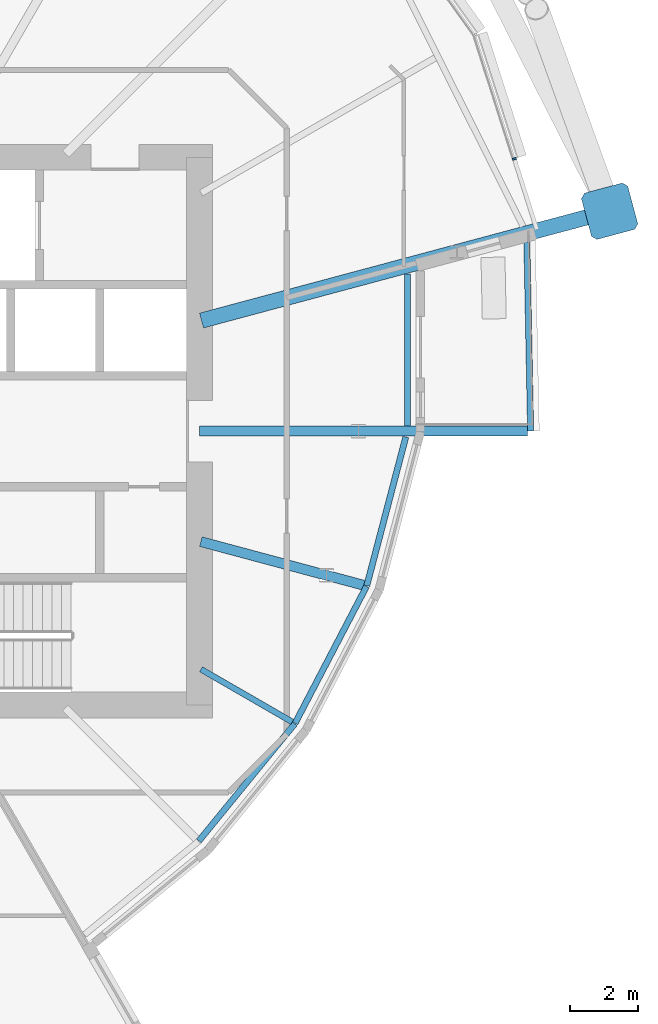
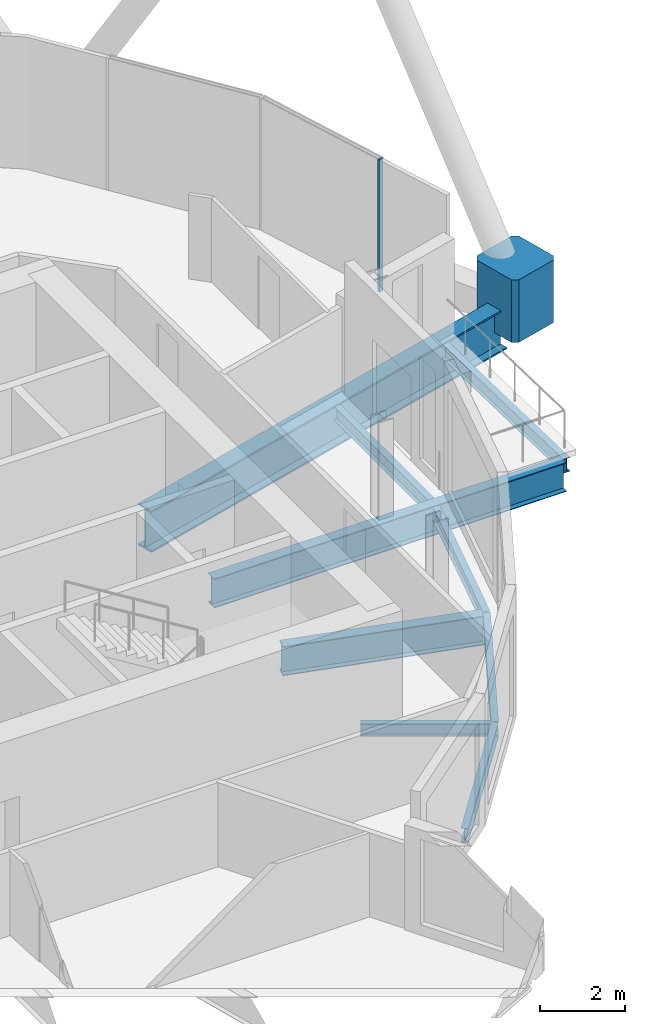
# One storey, part 18 of 38: 9 beams, 2 members, 1 element without a shape of its own.
"""IFC4 building model written with IfcOpenShell, lengths in metres."""

from ifc_helpers import new_model, si_unit, direction, frame, origin, origin_2d, place, context, subcontext, project, spatial, polyline, rectangle, i_section, outline, extrude, material, material_profile, profile_set, type_object, element, aggregate, save


model = new_model("IFC4")

# Units and contexts
model_context = context("Model", 3, precision=1e-05, world=origin(), true_north=direction((0.0, 1.0)))
body_context = subcontext(model_context, "Body", "Model", "MODEL_VIEW")
ifc_project = project(units=[si_unit("LENGTHUNIT", "METRE"), si_unit("AREAUNIT", "SQUARE_METRE"), si_unit("VOLUMEUNIT", "CUBIC_METRE"), si_unit("PLANEANGLEUNIT", "RADIAN"), si_unit("MASSUNIT", "GRAM", prefix="KILO")], contexts=[model_context])

# Site, building, storey
site_placement = place(None, origin())
site = spatial("IfcSite", under=ifc_project, at=site_placement, CompositionType="ELEMENT")
building_placement = place(site_placement, origin())
building = spatial("IfcBuilding", under=site, at=building_placement, Name="Rimbun Link Towers", CompositionType="ELEMENT")
storey_placement = place(building_placement, frame((0.0, 0.0, 104.39990234375)))
storey = spatial("IfcBuildingStorey", under=building, at=storey_placement, Name="L25", CompositionType="ELEMENT", Elevation=104.39990234375)

# Curtain wall, member
ifc_material_1 = material(Name="Aluminium 6063-T6 and low-iron glass", Category="aluminium")
curtain_wall_type = type_object("IfcCurtainWallType", Name="CW1-Z2 unitised vision wall (zone 2)", PredefinedType="NOTDEFINED", material=ifc_material_1)
curtain_wall_placement = place(storey_placement, origin())
curtain_wall = element("IfcCurtainWall", 1, at=curtain_wall_placement, inside=storey, type_object=curtain_wall_type, Name="CW1 L25 T2", PredefinedType="NOTDEFINED")
ifc_material_2 = material(Name="Aluminium 6063-T6", Category="aluminium")
ifc_material_profile_1 = material_profile(ifc_material_2, rectangle(XDim=0.1201171875, YDim=0.06005859375, at=origin_2d()), Name="MULLION 60X120")
ifc_profile_set_1 = profile_set([ifc_material_profile_1], Name="Aluminium 6063-T6")
member_type_1 = type_object("IfcMemberType", Name="CW1 mullion 60X120", PredefinedType="MULLION", material=ifc_profile_set_1)
member_1_placement = place(storey_placement, frame((52.947021484375, 7.957763671875, 0.0), z_axis=(0.0, 0.0, 1.0), x_axis=(0.952972314709, 0.303057366512, 0.0)))
member_1 = element("IfcMember", 2, at=member_1_placement, type_object=member_type_1, Name="CW1 mullion", PredefinedType="MULLION", context=body_context, shape_type="SweptSolid", body=[
    extrude(rectangle(XDim=0.1201171875, YDim=0.06005859375, at=origin_2d()), origin(), (0.0, 0.0, 1.0), 3.800048828125),
])
aggregate(curtain_wall, [member_1])

# Member
ifc_material_3 = material(Name="Cast steel G20Mn5+QT, Rp0.2 300 MPa", Category="steel")
ifc_material_profile_2 = material_profile(ifc_material_3, outline(polyline([(0.699951171875, -0.570068359375), (0.699951171875, 0.570068359375), (0.570068359375, 0.699951171875), (-0.570068359375, 0.699951171875), (-0.699951171875, 0.570068359375), (-0.699951171875, -0.570068359375), (-0.570068359375, -0.699951171875), (0.570068359375, -0.699951171875), (0.699951171875, -0.570068359375)])), Name="NODE 1400x1400")
ifc_profile_set_2 = profile_set([ifc_material_profile_2], Name="Cast steel G20Mn5+QT, Rp0.2 300 MPa")
member_type_2 = type_object("IfcMemberType", Name="Diagrid node cast 1400", PredefinedType="USERDEFINED", material=ifc_profile_set_2)
member_2_placement = place(storey_placement, frame((55.72998046875, 6.42529296875, -0.89990234375), z_axis=(0.0, 0.0, 1.0), x_axis=(0.965925826289, 0.258819045103, 0.0)))
element("IfcMember", 3, at=member_2_placement, inside=storey, type_object=member_type_2, Name="Diagrid node L25 22", ObjectType="Diagrid node", PredefinedType="USERDEFINED", context=body_context, shape_type="SweptSolid", body=[
    extrude(outline(polyline([(0.699951171875, -0.570068359375), (0.699951171875, 0.570068359375), (0.570068359375, 0.699951171875), (-0.570068359375, 0.699951171875), (-0.699951171875, 0.570068359375), (-0.699951171875, -0.570068359375), (-0.570068359375, -0.699951171875), (0.570068359375, -0.699951171875), (0.699951171875, -0.570068359375)])), origin(), (0.0, 0.0, 1.0), 1.800048828125),
])

# Beams
ifc_material_4 = material(Name="Steel S355J2", Category="steel")
ifc_material_profile_3 = material_profile(ifc_material_4, i_section(OverallWidth=0.449951171875, OverallDepth=1.199951171875, WebThickness=0.030029296875, FlangeThickness=0.044921875, at=origin_2d()), Name="PG 1200x450x30/45")
ifc_profile_set_3 = profile_set([ifc_material_profile_3], Name="Steel S355J2")
beam_type_1 = type_object("IfcBeamType", Name="PG 1200x450x30/45", PredefinedType="BEAM", material=ifc_profile_set_3)
beam_1_placement = place(storey_placement, frame((43.80908203125, 3.231201171875, -0.760009765625), z_axis=(0.965926608301, 0.258816126577, 0.0), x_axis=(-0.258816126577, 0.965926608301, 0.0)))
element("IfcBeam", 4, at=beam_1_placement, inside=storey, type_object=beam_type_1, Name="Radial beam T2 L25 22", PredefinedType="BEAM", context=body_context, shape_type="SweptSolid", body=[
    extrude(i_section(OverallWidth=0.449951171875, OverallDepth=1.199951171875, WebThickness=0.030029296875, FlangeThickness=0.044921875, at=origin_2d()), origin(), (0.0, 0.0, 1.0), 11.84130859375),
])
ifc_material_5 = material(Name="Steel S355J2", Category="steel")
ifc_material_profile_4 = material_profile(ifc_material_5, i_section(OverallWidth=0.17138671875, OverallDepth=0.35498046875, WebThickness=0.00732421875, FlangeThickness=0.011474609375, at=origin_2d()), Name="UB 356x171x51")
ifc_profile_set_4 = profile_set([ifc_material_profile_4], Name="Steel S355J2")
beam_type_2 = type_object("IfcBeamType", Name="UB 356x171x51", PredefinedType="BEAM", material=ifc_profile_set_4)
beam_2_placement = place(storey_placement, frame((43.793701171875, -6.95361328125, -0.33740234375), z_axis=(0.866049645853, -0.499958009155, 0.0), x_axis=(0.499958009155, 0.866049645853, 0.0)))
element("IfcBeam", 5, at=beam_2_placement, inside=storey, type_object=beam_type_2, Name="Radial beam T2 L25 19", PredefinedType="BEAM", context=body_context, shape_type="SweptSolid", body=[
    extrude(i_section(OverallWidth=0.17138671875, OverallDepth=0.35498046875, WebThickness=0.00732421875, FlangeThickness=0.011474609375, at=origin_2d()), origin(), (0.0, 0.0, 1.0), 3.080322265625),
])
ifc_material_6 = material(Name="Steel S355J2", Category="steel")
ifc_material_profile_5 = material_profile(ifc_material_6, i_section(OverallWidth=0.177978515625, OverallDepth=0.406494140625, WebThickness=0.0078125, FlangeThickness=0.0126953125, at=origin_2d()), Name="UB 406x178x60")
ifc_profile_set_5 = profile_set([ifc_material_profile_5], Name="Steel S355J2")
beam_type_3 = type_object("IfcBeamType", Name="UB 406x178x60", PredefinedType="BEAM", material=ifc_profile_set_5)
beam_3_placement = place(storey_placement, frame((43.732421875, -11.968505859375, -0.363037109375), z_axis=(0.633321969167, 0.773888417907, 0.0), x_axis=(-0.773888417907, 0.633321969167, 0.0)))
element("IfcBeam", 6, at=beam_3_placement, inside=storey, type_object=beam_type_3, Name="Edge beam T2 L25 18 recess", PredefinedType="BEAM", context=body_context, shape_type="SweptSolid", body=[
    extrude(i_section(OverallWidth=0.177978515625, OverallDepth=0.406494140625, WebThickness=0.0078125, FlangeThickness=0.0126953125, at=origin_2d()), origin(), (0.0, 0.0, 1.0), 4.421875),
])
beam_4_placement = place(storey_placement, frame((46.544189453125, -8.52978515625, -0.363037109375), z_axis=(0.462595625847, 0.886569392065, 0.0), x_axis=(-0.886569392065, 0.462595625847, 0.0)))
element("IfcBeam", 7, at=beam_4_placement, inside=storey, type_object=beam_type_3, Name="Edge beam T2 L25 19 recess", PredefinedType="BEAM", context=body_context, shape_type="SweptSolid", body=[
    extrude(i_section(OverallWidth=0.177978515625, OverallDepth=0.406494140625, WebThickness=0.0078125, FlangeThickness=0.0126953125, at=origin_2d()), origin(), (0.0, 0.0, 1.0), 4.507080078125),
])
beam_5_placement = place(storey_placement, frame((48.636962890625, -4.513427734375, -0.363037109375), z_axis=(0.253776061313, 0.96726299976, 0.0), x_axis=(-0.96726299976, 0.253776061313, 0.0)))
element("IfcBeam", 8, at=beam_5_placement, inside=storey, type_object=beam_type_3, Name="Edge beam T2 L25 20 recess", PredefinedType="BEAM", context=body_context, shape_type="SweptSolid", body=[
    extrude(i_section(OverallWidth=0.177978515625, OverallDepth=0.406494140625, WebThickness=0.0078125, FlangeThickness=0.0126953125, at=origin_2d()), origin(), (0.0, 0.0, 1.0), 4.49072265625),
])
beam_6_placement = place(storey_placement, frame((49.821533203125, 0.147216796875, -0.363037109375), z_axis=(0.001649981254, 0.99999863878, 0.0), x_axis=(-0.99999863878, 0.001649981254, 0.0)))
element("IfcBeam", 9, at=beam_6_placement, inside=storey, type_object=beam_type_3, Name="Edge beam T2 L25 21 recess", PredefinedType="BEAM", context=body_context, shape_type="SweptSolid", body=[
    extrude(i_section(OverallWidth=0.177978515625, OverallDepth=0.406494140625, WebThickness=0.0078125, FlangeThickness=0.0126953125, at=origin_2d()), origin(), (0.0, 0.0, 1.0), 4.43896484375),
])
beam_7_placement = place(storey_placement, frame((53.422607421875, 0.0009765625, -0.363037109375), z_axis=(-0.019851922173, 0.999802931175, 0.0), x_axis=(-0.999802931175, -0.019851922173, 0.0)))
element("IfcBeam", 10, at=beam_7_placement, inside=storey, type_object=beam_type_3, Name="Edge beam T2 L25 21 terrace", PredefinedType="BEAM", context=body_context, shape_type="SweptSolid", body=[
    extrude(i_section(OverallWidth=0.177978515625, OverallDepth=0.406494140625, WebThickness=0.0078125, FlangeThickness=0.0126953125, at=origin_2d()), origin(), (0.0, 0.0, 1.0), 5.521728515625),
])
ifc_material_7 = material(Name="Steel S355J2", Category="steel")
ifc_material_profile_6 = material_profile(ifc_material_7, i_section(OverallWidth=0.29248046875, OverallDepth=0.8408203125, WebThickness=0.0126953125, FlangeThickness=0.021728515625, at=origin_2d()), Name="UB 838x292x194")
ifc_profile_set_6 = profile_set([ifc_material_profile_6], Name="Steel S355J2")
beam_type_4 = type_object("IfcBeamType", Name="UB 838x292x194", PredefinedType="BEAM", material=ifc_profile_set_6)
beam_8_placement = place(storey_placement, frame((43.788818359375, -3.225830078125, -0.580322265625), z_axis=(0.965926592168, -0.258816186787, 0.0), x_axis=(0.258816186787, 0.965926592168, 0.0)))
element("IfcBeam", 11, at=beam_8_placement, inside=storey, type_object=beam_type_4, Name="Radial beam T2 L25 20", PredefinedType="BEAM", context=body_context, shape_type="SweptSolid", body=[
    extrude(i_section(OverallWidth=0.29248046875, OverallDepth=0.8408203125, WebThickness=0.0126953125, FlangeThickness=0.021728515625, at=origin_2d()), origin(), (0.0, 0.0, 1.0), 4.92578125),
])
beam_9_placement = place(storey_placement, frame((43.7509765625, 0.0, -0.580322265625), z_axis=(1.0, 0.0, 0.0), x_axis=(0.0, 1.0, 0.0)))
element("IfcBeam", 12, at=beam_9_placement, inside=storey, type_object=beam_type_4, Name="Radial beam T2 L25 21", PredefinedType="BEAM", context=body_context, shape_type="SweptSolid", body=[
    extrude(i_section(OverallWidth=0.29248046875, OverallDepth=0.8408203125, WebThickness=0.0126953125, FlangeThickness=0.021728515625, at=origin_2d()), origin(), (0.0, 0.0, 1.0), 9.58154296875),
])

save(model, "model.ifc")
